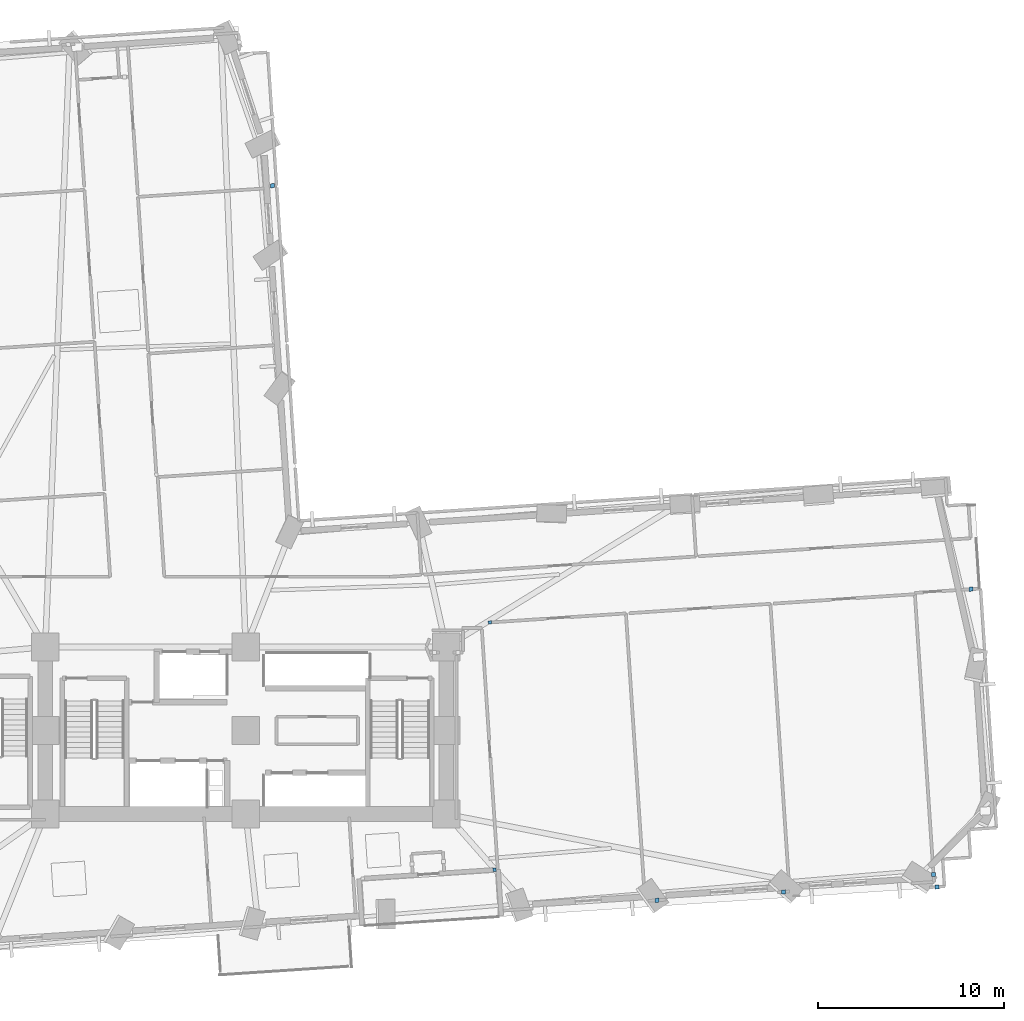
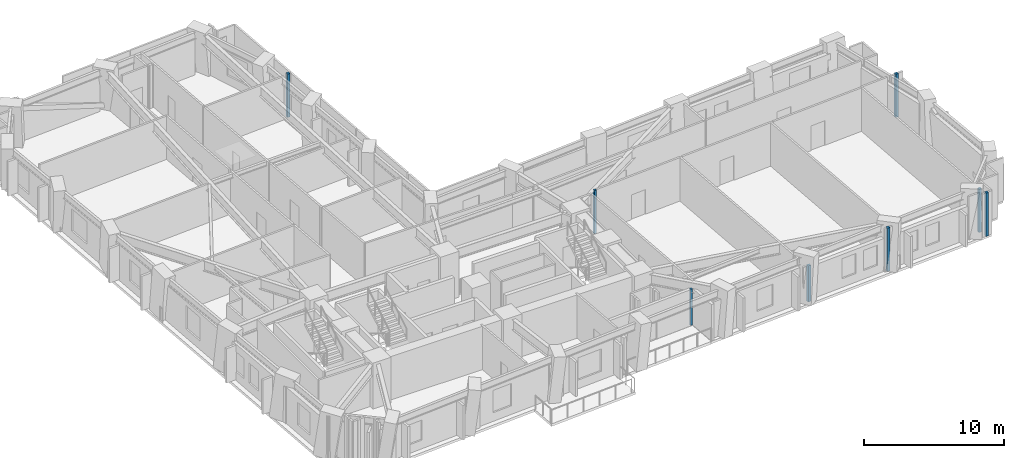
# One storey, part 5 of 14: 8 plates.
"""IFC4 building model written with IfcOpenShell, lengths in metres."""

from ifc_helpers import new_model, si_unit, direction, frame, origin, origin_2d, place, context, subcontext, project, spatial, rectangle, extrude, material, layer, layer_set, type_object, element, save


model = new_model("IFC4")

# Units and contexts
model_context = context("Model", 3, precision=1e-05, world=origin(), true_north=direction((0.0, 1.0)))
body_context = subcontext(model_context, "Body", "Model", "MODEL_VIEW")
ifc_project = project(units=[si_unit("LENGTHUNIT", "METRE"), si_unit("AREAUNIT", "SQUARE_METRE"), si_unit("VOLUMEUNIT", "CUBIC_METRE"), si_unit("PLANEANGLEUNIT", "RADIAN"), si_unit("MASSUNIT", "GRAM", prefix="KILO")], contexts=[model_context])

# Site, building, storey
site_placement = place(None, origin())
site = spatial("IfcSite", under=ifc_project, at=site_placement, CompositionType="ELEMENT")
building_placement = place(site_placement, origin())
building = spatial("IfcBuilding", under=site, at=building_placement, Name="Gaonmaruhae Medical Tower", CompositionType="ELEMENT")
storey_placement = place(building_placement, frame((0.0, 0.0, 39.0)))
storey = spatial("IfcBuildingStorey", under=building, at=storey_placement, Name="L08", CompositionType="ELEMENT", Elevation=39.0)

# Plates
ifc_material = material(Name="Anodised aluminium 6063-T6", Category="aluminium")
ifc_layer = layer(ifc_material, 0.011962890625)
ifc_layer_set = layer_set([ifc_layer], Name="Anodised aluminium 6063-T6")
plate_type = type_object("IfcPlateType", Name="PP-01 Interior Partition Corner Stiffener Plate", PredefinedType="SHEET", material=ifc_layer_set)
plate_1_placement = place(storey_placement, frame((38.198486328125, 4.80078125, 0.0), z_axis=(0.0, 0.0, 1.0), x_axis=(-0.997801468292, -0.0662739004, 0.0)))
element("IfcPlate", 1, at=plate_1_placement, inside=storey, type_object=plate_type, Name="L08 Partition End Jamb Post Plate PLT-L08-ENDP-TERB-0", PredefinedType="SHEET", context=body_context, shape_type="SweptSolid", body=[
    extrude(rectangle(XDim=0.179931640625, YDim=0.179931640625, at=origin_2d()), origin(), (0.0, 0.0, 1.0), 3.1650390625),
])
plate_2_placement = place(storey_placement, frame((37.9501953125, 18.123779296875, 0.0), z_axis=(0.0, 0.0, 1.0), x_axis=(0.99780378108, 0.066239070518, 0.0)))
element("IfcPlate", 2, at=plate_2_placement, inside=storey, type_object=plate_type, Name="L08 Partition End Jamb Post Plate PLT-L08-ENDP-PW032-0", PredefinedType="SHEET", context=body_context, shape_type="SweptSolid", body=[
    extrude(rectangle(XDim=0.179931640625, YDim=0.179931640625, at=origin_2d()), origin(), (0.0, 0.0, 1.0), 3.780029296875),
])
plate_3_placement = place(storey_placement, frame((53.7666015625, 3.609619140625, 0.0), z_axis=(0.0, 0.0, 1.0), x_axis=(-0.997771291417, -0.066726681504, 0.0)))
element("IfcPlate", 3, at=plate_3_placement, inside=storey, type_object=plate_type, Name="L08 Partition Corner Stiffener Plate PLT-L08-JGP-PW037", PredefinedType="SHEET", context=body_context, shape_type="SweptSolid", body=[
    extrude(rectangle(XDim=0.219970703125, YDim=0.219970703125, at=origin_2d()), origin(), (0.0, 0.0, 1.0), 3.780029296875),
])
plate_4_placement = place(storey_placement, frame((46.95556640625, 3.157470703125, 0.0), z_axis=(0.0, 0.0, 1.0), x_axis=(-0.997811866262, -0.066117165295, 0.0)))
element("IfcPlate", 4, at=plate_4_placement, inside=storey, type_object=plate_type, Name="L08 Partition Corner Stiffener Plate PLT-L08-JGP-PW038", PredefinedType="SHEET", context=body_context, shape_type="SweptSolid", body=[
    extrude(rectangle(XDim=0.219970703125, YDim=0.219970703125, at=origin_2d()), origin(), (0.0, 0.0, 1.0), 3.14501953125),
])
for number, where, z_axis, x_axis, name in (
    (5, (61.844970703125, 4.54296875, 0.0), (0.0, 0.0, 1.0), (0.065681781455, -0.997840620332, 0.0), "L08 Partition Corner Stiffener Plate PLT-L08-JGP-PW041"),
    (6, (26.235107421875, 41.6484375, 0.0), (0.0, 0.0, 1.0), (-0.99764972541, -0.068520255323, 0.0), "L08 Partition Corner Stiffener Plate PLT-L08-JGP-PW089"),
    (7, (62.0400390625, 3.868896484375, 0.0), (0.0, 0.0, 1.0), (-0.997827991946, -0.06587335189, 0.0), "L08 Partition Corner Stiffener Plate PLT-L08-JGP-PW102"),
    (8, (63.861083984375, 19.9150390625, 0.0), (0.0, 0.0, 1.0), (0.997810712148, 0.066134580387, 0.0), "L08 Partition Corner Stiffener Plate PLT-L08-JGP-PW104"),
):
    element("IfcPlate", number, at=place(storey_placement, frame(where, z_axis=z_axis, x_axis=x_axis)), inside=storey, type_object=plate_type, Name=name, PredefinedType="SHEET", context=body_context, shape_type="SweptSolid", body=[
        extrude(rectangle(XDim=0.219970703125, YDim=0.219970703125, at=origin_2d()), origin(), (0.0, 0.0, 1.0), 3.780029296875),
    ])

save(model, "model.ifc")
